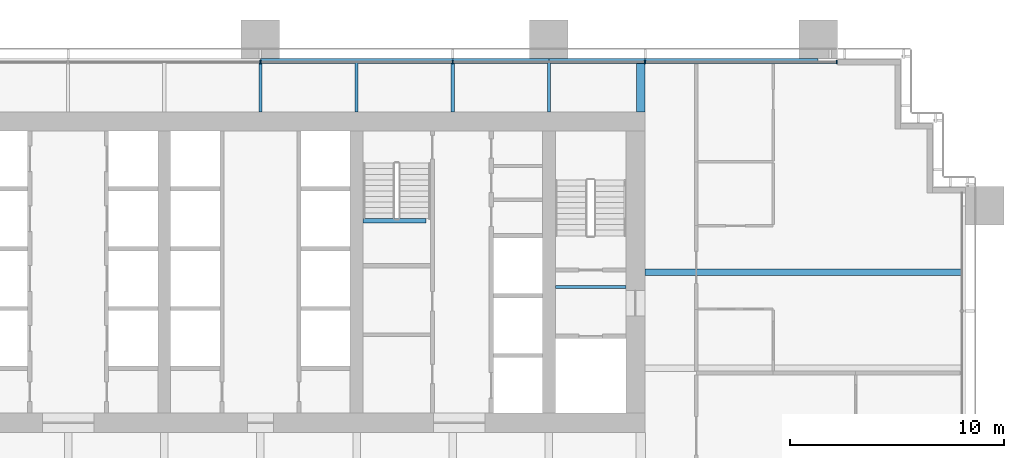
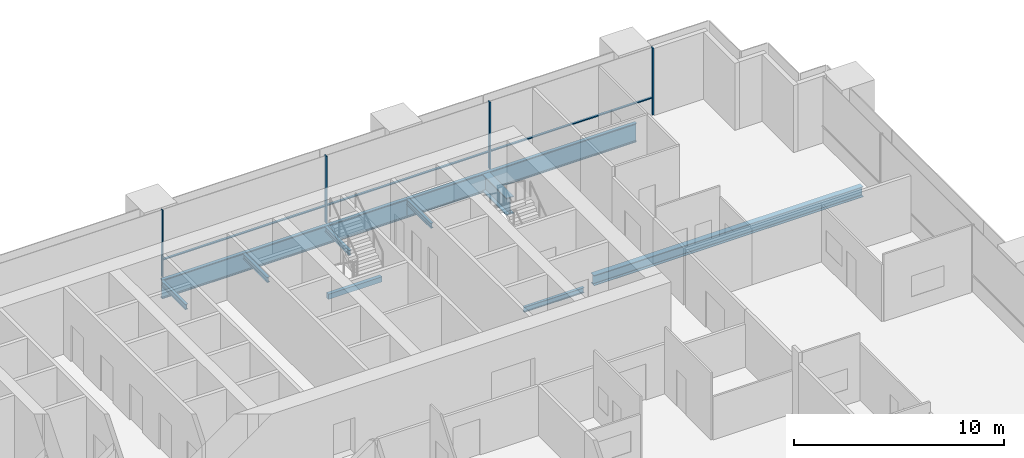
# One storey, part 8 of 20: 10 beams, 7 members, 1 element without a shape of its own.
"""IFC4 building model written with IfcOpenShell, lengths in metres."""

from ifc_helpers import new_model, si_unit, direction, frame, origin, origin_2d, place, context, subcontext, project, spatial, rectangle, i_section, extrude, material, material_profile, profile_set, type_object, element, aggregate, save


model = new_model("IFC4")

# Units and contexts
model_context = context("Model", 3, precision=1e-05, world=origin(), true_north=direction((0.0, 1.0)))
body_context = subcontext(model_context, "Body", "Model", "MODEL_VIEW")
ifc_project = project(units=[si_unit("LENGTHUNIT", "METRE"), si_unit("AREAUNIT", "SQUARE_METRE"), si_unit("VOLUMEUNIT", "CUBIC_METRE"), si_unit("PLANEANGLEUNIT", "RADIAN"), si_unit("MASSUNIT", "GRAM", prefix="KILO")], contexts=[model_context])

# Site, building, storey
site_placement = place(None, origin())
site = spatial("IfcSite", under=ifc_project, at=site_placement, CompositionType="ELEMENT")
building_placement = place(site_placement, origin())
building = spatial("IfcBuilding", under=site, at=building_placement, Name="Rattan Terrace Tower", CompositionType="ELEMENT")
storey_placement = place(building_placement, frame((0.0, 0.0, 40.60009765625)))
storey = spatial("IfcBuildingStorey", under=building, at=storey_placement, Name="L08", CompositionType="ELEMENT", Elevation=40.60009765625)

# Beam
ifc_material_1 = material(Name="Concrete C40/50", Category="concrete")
ifc_material_profile_1 = material_profile(ifc_material_1, rectangle(XDim=0.199951171875, YDim=0.300048828125, at=origin_2d()), Name="RC 200x300")
ifc_profile_set_1 = profile_set([ifc_material_profile_1], Name="Concrete C40/50")
beam_type_1 = type_object("IfcBeamType", Name="Core landing beam RC 200x300", PredefinedType="BEAM", material=ifc_profile_set_1)
beam_1_placement = place(storey_placement, frame((4.800048828125, 2.39990234375, 1.699951171875), z_axis=(1.0, 0.0, 0.0), x_axis=(0.0, 1.0, 0.0)))
element("IfcBeam", 1, at=beam_1_placement, inside=storey, type_object=beam_type_1, Name="st-S3-L08 landing 1 edge beam", PredefinedType="BEAM", context=body_context, shape_type="SweptSolid", body=[
    extrude(rectangle(XDim=0.199951171875, YDim=0.300048828125, at=origin_2d()), origin(), (0.0, 0.0, 1.0), 2.949951171875),
])

# Curtain wall, members
ifc_material_2 = material(Name="Aluminium and glass", Category="aluminium")
curtain_wall_type = type_object("IfcCurtainWallType", Name="Facade Unitised Curtain Wall", PredefinedType="NOTDEFINED", material=ifc_material_2)
curtain_wall_placement = place(storey_placement, origin())
curtain_wall = element("IfcCurtainWall", 2, at=curtain_wall_placement, inside=storey, type_object=curtain_wall_type, Name="Curtain wall L08-2", PredefinedType="NOTDEFINED")
ifc_material_3 = material(Name="Aluminium", Category="aluminium")
ifc_material_profile_2 = material_profile(ifc_material_3, rectangle(XDim=0.06005859375, YDim=0.159912109375, at=origin_2d()), Name="Aluminium 60x160")
ifc_profile_set_2 = profile_set([ifc_material_profile_2], Name="Aluminium")
member_type_1 = type_object("IfcMemberType", Name="Facade CW Mullion 60x160", PredefinedType="MULLION", material=ifc_profile_set_2)
member_1_placement = place(storey_placement, frame((26.969970703125, 9.830078125, 0.0), z_axis=(0.0, 0.0, 1.0), x_axis=(-1.0, 0.0, 0.0)))
member_1 = element("IfcMember", 3, at=member_1_placement, type_object=member_type_1, Name="Mullion cwl-L08-002.1", PredefinedType="MULLION", context=body_context, shape_type="SweptSolid", body=[
    extrude(rectangle(XDim=0.06005859375, YDim=0.159912109375, at=origin_2d()), origin(), (0.0, 0.0, 1.0), 3.89990234375),
])
member_2_placement = place(storey_placement, frame((18.0, 9.830078125, 0.0), z_axis=(0.0, 0.0, 1.0), x_axis=(-1.0, 0.0, 0.0)))
member_2 = element("IfcMember", 4, at=member_2_placement, type_object=member_type_1, Name="Mullion cwl-L08-002.2", PredefinedType="MULLION", context=body_context, shape_type="SweptSolid", body=[
    extrude(rectangle(XDim=0.06005859375, YDim=0.159912109375, at=origin_2d()), origin(), (0.0, 0.0, 1.0), 3.89990234375),
])
member_3_placement = place(storey_placement, frame((9.0, 9.830078125, 0.0), z_axis=(0.0, 0.0, 1.0), x_axis=(-1.0, 0.0, 0.0)))
member_3 = element("IfcMember", 5, at=member_3_placement, type_object=member_type_1, Name="Mullion cwl-L08-002.3", PredefinedType="MULLION", context=body_context, shape_type="SweptSolid", body=[
    extrude(rectangle(XDim=0.06005859375, YDim=0.159912109375, at=origin_2d()), origin(), (0.0, 0.0, 1.0), 3.89990234375),
])
member_4_placement = place(storey_placement, frame((0.0, 9.830078125, 0.0), z_axis=(0.0, 0.0, 1.0), x_axis=(-1.0, 0.0, 0.0)))
member_4 = element("IfcMember", 6, at=member_4_placement, type_object=member_type_1, Name="Mullion cwl-L08-002.4", PredefinedType="MULLION", context=body_context, shape_type="SweptSolid", body=[
    extrude(rectangle(XDim=0.06005859375, YDim=0.159912109375, at=origin_2d()), origin(), (0.0, 0.0, 1.0), 3.89990234375),
])
ifc_material_4 = material(Name="Aluminium", Category="aluminium")
ifc_material_profile_3 = material_profile(ifc_material_4, rectangle(XDim=0.1201171875, YDim=0.06005859375, at=origin_2d()), Name="Aluminium 120x60")
ifc_profile_set_3 = profile_set([ifc_material_profile_3], Name="Aluminium")
member_type_2 = type_object("IfcMemberType", Name="Facade CW Transom 120x60", PredefinedType="USERDEFINED", material=ifc_profile_set_3)
member_5_placement = place(storey_placement, frame((26.93994140625, 9.830078125, 1.0), z_axis=(-1.0, 0.0, 0.0), x_axis=(0.0, -1.0, 0.0)))
member_5 = element("IfcMember", 7, at=member_5_placement, type_object=member_type_2, Name="Transom cwl-L08-002.1", ObjectType="TRANSOM", PredefinedType="USERDEFINED", context=body_context, shape_type="SweptSolid", body=[
    extrude(rectangle(XDim=0.1201171875, YDim=0.06005859375, at=origin_2d()), origin(), (0.0, 0.0, 1.0), 8.909912109375),
])
member_6_placement = place(storey_placement, frame((17.969970703125, 9.830078125, 1.0), z_axis=(-1.0, 0.0, 0.0), x_axis=(0.0, -1.0, 0.0)))
member_6 = element("IfcMember", 8, at=member_6_placement, type_object=member_type_2, Name="Transom cwl-L08-002.2", ObjectType="TRANSOM", PredefinedType="USERDEFINED", context=body_context, shape_type="SweptSolid", body=[
    extrude(rectangle(XDim=0.1201171875, YDim=0.06005859375, at=origin_2d()), origin(), (0.0, 0.0, 1.0), 8.93994140625),
])
member_7_placement = place(storey_placement, frame((8.969970703125, 9.830078125, 1.0), z_axis=(-1.0, 0.0, 0.0), x_axis=(0.0, -1.0, 0.0)))
member_7 = element("IfcMember", 9, at=member_7_placement, type_object=member_type_2, Name="Transom cwl-L08-002.3", ObjectType="TRANSOM", PredefinedType="USERDEFINED", context=body_context, shape_type="SweptSolid", body=[
    extrude(rectangle(XDim=0.1201171875, YDim=0.06005859375, at=origin_2d()), origin(), (0.0, 0.0, 1.0), 8.93994140625),
])
aggregate(curtain_wall, [member_1, member_2, member_3, member_4, member_5, member_6, member_7])

# Beams
ifc_material_5 = material(Name="Steel S460", Category="steel")
ifc_material_profile_4 = material_profile(ifc_material_5, i_section(OverallWidth=0.39990234375, OverallDepth=1.0, WebThickness=0.01806640625, FlangeThickness=0.044921875, at=origin_2d()), Name="PG 1000x400-18-45")
ifc_profile_set_4 = profile_set([ifc_material_profile_4], Name="Steel S460")
beam_type_2 = type_object("IfcBeamType", Name="Frame core girder PG 1000x400-18-45", PredefinedType="BEAM", material=ifc_profile_set_4)
beam_2_placement = place(storey_placement, frame((17.800048828125, 7.5, -0.7001953125), z_axis=(0.0, 1.0, 0.0), x_axis=(-1.0, 0.0, 0.0)))
element("IfcBeam", 10, at=beam_2_placement, inside=storey, type_object=beam_type_2, Name="gdr-L08-016", PredefinedType="BEAM", context=body_context, shape_type="SweptSolid", body=[
    extrude(i_section(OverallWidth=0.39990234375, OverallDepth=1.0, WebThickness=0.01806640625, FlangeThickness=0.044921875, at=origin_2d()), origin(), (0.0, 0.0, 1.0), 2.320068359375),
])
ifc_material_6 = material(Name="Steel S460", Category="steel")
ifc_material_profile_5 = material_profile(ifc_material_6, i_section(OverallWidth=0.179931640625, OverallDepth=1.10009765625, WebThickness=0.01611328125, FlangeThickness=0.050048828125, at=origin_2d()), Name="PG 1100x180-16-50")
ifc_profile_set_5 = profile_set([ifc_material_profile_5], Name="Steel S460")
beam_type_3 = type_object("IfcBeamType", Name="Frame edge girder PG 1100x180-16-50", PredefinedType="SPANDREL", material=ifc_profile_set_5)
beam_3_placement = place(storey_placement, frame((13.5, 9.909912109375, -0.75), z_axis=(-1.0, 0.0, 0.0), x_axis=(0.0, -1.0, 0.0)))
element("IfcBeam", 11, at=beam_3_placement, inside=storey, type_object=beam_type_3, Name="gdr-L08-011", PredefinedType="SPANDREL", context=body_context, shape_type="SweptSolid", body=[
    extrude(i_section(OverallWidth=0.179931640625, OverallDepth=1.10009765625, WebThickness=0.01611328125, FlangeThickness=0.050048828125, at=origin_2d()), origin(), (0.0, 0.0, 1.0), 13.5),
])
beam_4_placement = place(storey_placement, frame((26.10009765625, 9.909912109375, -0.75), z_axis=(-1.0, 0.0, 0.0), x_axis=(0.0, -1.0, 0.0)))
element("IfcBeam", 12, at=beam_4_placement, inside=storey, type_object=beam_type_3, Name="gdr-L08-012", PredefinedType="SPANDREL", context=body_context, shape_type="SweptSolid", body=[
    extrude(i_section(OverallWidth=0.179931640625, OverallDepth=1.10009765625, WebThickness=0.01611328125, FlangeThickness=0.050048828125, at=origin_2d()), origin(), (0.0, 0.0, 1.0), 12.60009765625),
])
ifc_material_7 = material(Name="Steel S355", Category="steel")
ifc_material_profile_6 = material_profile(ifc_material_7, i_section(OverallWidth=0.300048828125, OverallDepth=0.60009765625, WebThickness=0.015380859375, FlangeThickness=0.030029296875, FilletRadius=0.027099609375, at=origin_2d()), Name="HE 600 B")
ifc_profile_set_6 = profile_set([ifc_material_profile_6], Name="Steel S355")
beam_type_4 = type_object("IfcBeamType", Name="Frame floor beam HE 600 B", PredefinedType="JOIST", material=ifc_profile_set_6)
beam_5_placement = place(storey_placement, frame((18.0, 0.0, -0.5), z_axis=(1.0, 0.0, 0.0), x_axis=(0.0, 1.0, 0.0)))
element("IfcBeam", 13, at=beam_5_placement, inside=storey, type_object=beam_type_4, Name="bm-L08-023", PredefinedType="JOIST", context=body_context, shape_type="SweptSolid", body=[
    extrude(i_section(OverallWidth=0.300048828125, OverallDepth=0.60009765625, WebThickness=0.015380859375, FlangeThickness=0.030029296875, FilletRadius=0.027099609375, at=origin_2d()), origin(), (0.0, 0.0, 1.0), 14.820068359375),
])
ifc_material_8 = material(Name="Steel S355", Category="steel")
ifc_material_profile_7 = material_profile(ifc_material_8, i_section(OverallWidth=0.14990234375, OverallDepth=0.300048828125, WebThickness=0.007080078125, FlangeThickness=0.0107421875, FilletRadius=0.014892578125, at=origin_2d()), Name="IPE 300")
ifc_profile_set_7 = profile_set([ifc_material_profile_7], Name="Steel S355")
beam_type_5 = type_object("IfcBeamType", Name="Frame floor beam IPE 300", PredefinedType="JOIST", material=ifc_profile_set_7)
beam_6_placement = place(storey_placement, frame((13.800048828125, -0.695068359375, -0.35009765625), z_axis=(1.0, 0.0, 0.0), x_axis=(0.0, 1.0, 0.0)))
element("IfcBeam", 14, at=beam_6_placement, inside=storey, type_object=beam_type_5, Name="bm-L08-002", PredefinedType="JOIST", context=body_context, shape_type="SweptSolid", body=[
    extrude(i_section(OverallWidth=0.14990234375, OverallDepth=0.300048828125, WebThickness=0.007080078125, FlangeThickness=0.0107421875, FilletRadius=0.014892578125, at=origin_2d()), origin(), (0.0, 0.0, 1.0), 3.300048828125),
])
for number, where, z_axis, x_axis, name in (
    (15, (0.0, 7.5, -0.35009765625), (0.0, 1.0, 0.0), (-1.0, 0.0, 0.0), "bm-L08-027"),
    (16, (4.5, 7.5, -0.35009765625), (0.0, 1.0, 0.0), (-1.0, 0.0, 0.0), "bm-L08-028"),
    (17, (9.0, 7.5, -0.35009765625), (0.0, 1.0, 0.0), (-1.0, 0.0, 0.0), "bm-L08-029"),
    (18, (13.5, 7.5, -0.35009765625), (0.0, 1.0, 0.0), (-1.0, 0.0, 0.0), "bm-L08-030"),
):
    element("IfcBeam", number, at=place(storey_placement, frame(where, z_axis=z_axis, x_axis=x_axis)), inside=storey, type_object=beam_type_5, Name=name, PredefinedType="JOIST", context=body_context, shape_type="SweptSolid", body=[
        extrude(i_section(OverallWidth=0.14990234375, OverallDepth=0.300048828125, WebThickness=0.007080078125, FlangeThickness=0.0107421875, FilletRadius=0.014892578125, at=origin_2d()), origin(), (0.0, 0.0, 1.0), 2.320068359375),
    ])

save(model, "model.ifc")
